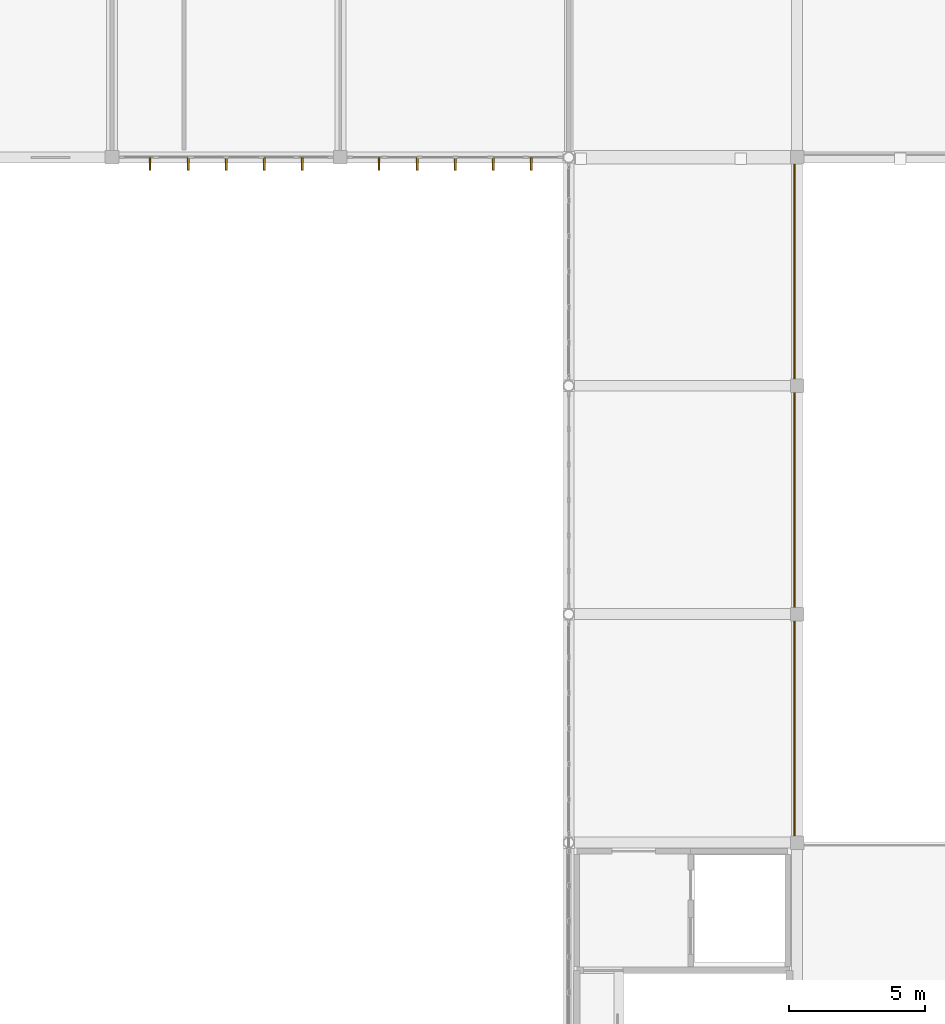
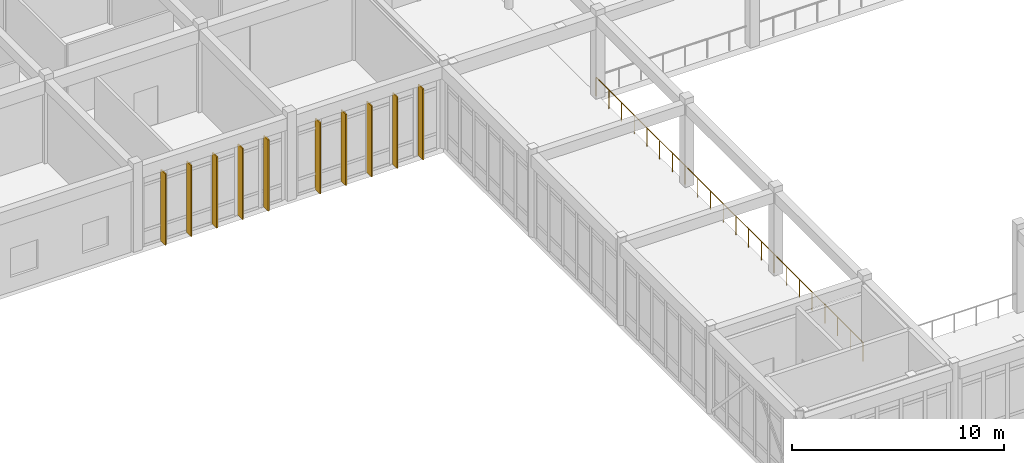
# One storey, part 117 of 134: 10 shading devices, 1 railing.
"""IFC4 building model written with IfcOpenShell, lengths in metres."""

import ifcopenshell
import ifcopenshell.guid

model = None  # the IFC model being written
_history = None  # IfcOwnerHistory: only IFC2X3 demands one
_inside = {}  # id of a spatial element -> (the spatial element, [elements in it])
_under = {}  # id of a project, library or spatial element -> (it, [spatial elements below it])
_declared = {}  # id of a project -> (the project, [libraries it declares])
_typed = {}  # id of a type object -> (the type object, [elements of that type])
_made_of = {}  # id of a material, layer set ... -> (it, [elements and type objects made of it])


def new_model(schema):
    """Start an empty IFC model of exactly this schema.

    Asked for "IFC4X3", IfcOpenShell would pick the latest addendum, in which some entities
    have other attributes; the version numbers below select the first issue.
    IFC2X3 requires an IfcOwnerHistory on every rooted entity: one is made here for all.
    """
    global model, _history
    if schema == "IFC4X3":
        model = ifcopenshell.file(schema_version=(4, 3, 0, 0))
    else:
        model = ifcopenshell.file(schema=schema)
    _inside.clear()
    _under.clear()
    _declared.clear()
    _typed.clear()
    _made_of.clear()
    _history = None
    if model.schema == "IFC2X3":
        org = make("IfcOrganization", Name="unknown")
        user = make(
            "IfcPersonAndOrganization",
            ThePerson=make("IfcPerson", FamilyName="unknown"),
            TheOrganization=org,
        )
        app = make(
            "IfcApplication",
            ApplicationDeveloper=org,
            Version="unknown",
            ApplicationFullName="unknown",
            ApplicationIdentifier="unknown",
        )
        _history = make(
            "IfcOwnerHistory",
            OwningUser=user,
            OwningApplication=app,
            ChangeAction="ADDED",
            CreationDate=0,
        )
    return model


def make(cls, **values):
    """One entity of the class cls with the attributes given. An attribute that is None is left unset."""
    return model.create_entity(
        cls, **{name: value for name, value in values.items() if value is not None}
    )


def rooted(cls, **values):
    """An entity with a GlobalId (a new one), such as an element, a storey or a relation."""
    return make(cls, GlobalId=ifcopenshell.guid.new(), OwnerHistory=_history, **values)


def si_unit(unit_type, name, prefix=None):
    """IfcSIUnit, for example si_unit("LENGTHUNIT", "METRE", prefix="MILLI")."""
    return make("IfcSIUnit", UnitType=unit_type, Prefix=prefix, Name=name)


def assignment(units):
    """IfcUnitAssignment: the units of a project."""
    return None if units is None else make("IfcUnitAssignment", Units=units)


def point(xyz):
    """IfcCartesianPoint."""
    return None if xyz is None else make("IfcCartesianPoint", Coordinates=xyz)


def direction(xyz):
    """IfcDirection."""
    return None if xyz is None else make("IfcDirection", DirectionRatios=xyz)


def frame(location, z_axis=None, x_axis=None):
    """IfcAxis2Placement3D, a coordinate frame: its origin and axes. An axis left out is left unset."""
    return make(
        "IfcAxis2Placement3D",
        Location=point(location),
        Axis=direction(z_axis),
        RefDirection=direction(x_axis),
    )


def frame_2d(location, x_axis=None):
    """IfcAxis2Placement2D, a coordinate frame in the plane: its origin and x axis."""
    return make(
        "IfcAxis2Placement2D", Location=point(location), RefDirection=direction(x_axis)
    )


def origin():
    """The frame at (0, 0, 0) with its axes left unset."""
    return frame((0.0, 0.0, 0.0))


def origin_2d():
    """The frame at (0, 0) in the plane with its x axis left unset."""
    return frame_2d((0.0, 0.0))


def place(relative_to, where):
    """IfcLocalPlacement: puts the frame where relative to a parent placement (None: the world)."""
    return make(
        "IfcLocalPlacement", PlacementRelTo=relative_to, RelativePlacement=where
    )


def context(
    kind, dimensions, precision=None, world=None, true_north=None, identifier=None
):
    """IfcGeometricRepresentationContext, for example the 3D "Model" context."""
    return make(
        "IfcGeometricRepresentationContext",
        ContextIdentifier=identifier,
        ContextType=kind,
        CoordinateSpaceDimension=dimensions,
        Precision=precision,
        WorldCoordinateSystem=world,
        TrueNorth=true_north,
    )


def subcontext(parent, identifier, kind, view, scale=None):
    """IfcGeometricRepresentationSubContext, for example "Body" below "Model"."""
    return make(
        "IfcGeometricRepresentationSubContext",
        ContextIdentifier=identifier,
        ContextType=kind,
        ParentContext=parent,
        TargetScale=scale,
        TargetView=view,
    )


def project(units=None, contexts=None):
    """IfcProject with its units and contexts."""
    return rooted(
        "IfcProject",
        Name="project",
        RepresentationContexts=contexts,
        UnitsInContext=assignment(units),
    )


def spatial(cls, under=None, at=None, **own):
    """A site, building, storey or space (cls), placed at a placement, below another one or the project."""
    s = rooted(cls, ObjectPlacement=at, **own)
    if under is not None:
        _under.setdefault(under.id(), (under, []))[1].append(s)
    return s


def profile(cls, at=None, kind="AREA", **sizes):
    """A parametric profile (cls). Its sizes go by their IFC names, for example OverallWidth=200.0."""
    return make(cls, ProfileType=kind, Position=at, **sizes)


def rectangle(**sizes):
    """IfcRectangleProfileDef."""
    return profile("IfcRectangleProfileDef", **sizes)


def circle(**sizes):
    """IfcCircleProfileDef."""
    return profile("IfcCircleProfileDef", **sizes)


def extrude(swept, where, along, depth):
    """IfcExtrudedAreaSolid: the profile swept, set in the frame where, extruded along a direction by depth."""
    return make(
        "IfcExtrudedAreaSolid",
        SweptArea=swept,
        Position=where,
        ExtrudedDirection=direction(along),
        Depth=depth,
    )


def shape(context_of_items, identifier, shape_type, items):
    """IfcShapeRepresentation: the items that make up one representation, for example the "Body"."""
    return make(
        "IfcShapeRepresentation",
        ContextOfItems=context_of_items,
        RepresentationIdentifier=identifier,
        RepresentationType=shape_type,
        Items=items,
    )


def material(Name=None, Category=None):
    """IfcMaterial."""
    return make("IfcMaterial", Name=Name, Category=Category)


def material_profile(
    of_material, cross_section, Name=None, Category=None, Priority=None
):
    """IfcMaterialProfile: a cross section and its material."""
    return make(
        "IfcMaterialProfile",
        Name=Name,
        Material=of_material,
        Profile=cross_section,
        Priority=Priority,
        Category=Category,
    )


def profile_set(profiles, Name=None, composite=None):
    """IfcMaterialProfileSet."""
    return make(
        "IfcMaterialProfileSet",
        Name=Name,
        MaterialProfiles=profiles,
        CompositeProfile=composite,
    )


def made_of(thing, what):
    """Note that an element or type object is made of a material, layer set ...; save() writes the relation."""
    if what is not None:
        _made_of.setdefault(what.id(), (what, []))[1].append(thing)
    return thing


def type_object(cls, material=None, **own):
    """A type object (cls), such as IfcWallType, which elements share."""
    return made_of(rooted(cls, **own), material)


def element(
    cls,
    number,
    at=None,
    inside=None,
    cuts=None,
    type_object=None,
    material=None,
    context=None,
    identifier="Body",
    shape_type=None,
    held_by="IfcProductDefinitionShape",
    body=None,
    shapes=None,
    **own,
):
    """One element of the class cls, such as IfcWall. Its Tag is "e" and its number.

    at: its placement. inside: the storey or other place that contains it. cuts: it is an
    opening in that element (IfcRelVoidsElement). A single representation is given by context,
    identifier, shape_type and body (its items); several are given by shapes. held_by: the class
    of the entity that holds the representations. save() writes the other relations.
    """
    e = rooted(cls, Tag="e%d" % number, ObjectPlacement=at, **own)
    if body is not None:
        shapes = [shape(context, identifier, shape_type, body)]
    if shapes is not None:
        e.Representation = make(held_by, Representations=shapes)
    if inside is not None:
        _inside.setdefault(inside.id(), (inside, []))[1].append(e)
    if cuts is not None:
        rooted(
            "IfcRelVoidsElement", RelatingBuildingElement=cuts, RelatedOpeningElement=e
        )
    if type_object is not None:
        _typed.setdefault(type_object.id(), (type_object, []))[1].append(e)
    return made_of(e, material)


def aggregate(whole, parts):
    """IfcRelAggregates: a whole, such as a stair, and the parts it consists of."""
    return rooted("IfcRelAggregates", RelatingObject=whole, RelatedObjects=parts)


def save(model, path):
    """Write the relations noted so far, then the file.

    IfcRelAggregates (storeys below a building ...), IfcRelContainedInSpatialStructure (elements
    in a storey), IfcRelDefinesByType, IfcRelAssociatesMaterial and IfcRelDeclares: one each for
    every whole, place, type object, material and project.
    """
    for whole, parts in _under.values():
        aggregate(whole, parts)
    for where, things in _inside.values():
        rooted(
            "IfcRelContainedInSpatialStructure",
            RelatedElements=things,
            RelatingStructure=where,
        )
    for kind, things in _typed.values():
        rooted("IfcRelDefinesByType", RelatedObjects=things, RelatingType=kind)
    for what, things in _made_of.values():
        rooted("IfcRelAssociatesMaterial", RelatedObjects=things, RelatingMaterial=what)
    for by, libraries in _declared.values():
        rooted("IfcRelDeclares", RelatingContext=by, RelatedDefinitions=libraries)
    model.write(path)


model = new_model("IFC4")

# Units and contexts
model_context = context("Model", 3, precision=1e-05, world=origin(), true_north=direction((0.0, 1.0)))
body_context = subcontext(model_context, "Body", "Model", "MODEL_VIEW")
ifc_project = project(units=[si_unit("LENGTHUNIT", "METRE"), si_unit("AREAUNIT", "SQUARE_METRE"), si_unit("VOLUMEUNIT", "CUBIC_METRE"), si_unit("PLANEANGLEUNIT", "RADIAN"), si_unit("MASSUNIT", "GRAM", prefix="KILO")], contexts=[model_context])

# Site, building, storey
site_placement = place(None, origin())
site = spatial("IfcSite", under=ifc_project, at=site_placement, CompositionType="ELEMENT")
building_placement = place(site_placement, origin())
building = spatial("IfcBuilding", under=site, at=building_placement, Name="Bramfleet General Hospital", CompositionType="ELEMENT")
storey_placement = place(building_placement, frame((0.0, 0.0, 9.300048828125)))
storey = spatial("IfcBuildingStorey", under=building, at=storey_placement, Name="L02", CompositionType="ELEMENT", Elevation=9.300048828125)

# Railing
ifc_material_1 = material(Name="Stainless steel 1.4401 safety balustrade", Category="steel")
railing_type = type_object("IfcRailingType", Name="RAIL-EXT-GUARD", PredefinedType="GUARDRAIL", material=ifc_material_1)
railing_placement = place(storey_placement, frame((58.699951171875, 50.389892578125, 0.0)))
element("IfcRailing", 1, at=railing_placement, inside=storey, type_object=railing_type, Name="L02 Safety Guard Rail 116", PredefinedType="GUARDRAIL", context=body_context, shape_type="SweptSolid", body=[
    extrude(circle(Radius=0.02392578125, at=origin_2d()), frame((0.0, 0.0, 1.076171875), z_axis=(0.0, -1.0, 0.0), x_axis=(1.0, 0.0, 0.0)), (0.0, 0.0, 1.0), 25.179931640625),
    extrude(circle(Radius=0.02099609375, at=origin_2d()), origin(), (0.0, 0.0, 1.0), 1.052001953125),
    extrude(circle(Radius=0.02099609375, at=origin_2d()), frame((0.0, -1.198974609375, 0.0)), (0.0, 0.0, 1.0), 1.052001953125),
    extrude(circle(Radius=0.02099609375, at=origin_2d()), frame((0.0, -2.398193359375, 0.0)), (0.0, 0.0, 1.0), 1.052001953125),
    extrude(circle(Radius=0.02099609375, at=origin_2d()), frame((0.0, -3.59716796875, 0.0)), (0.0, 0.0, 1.0), 1.052001953125),
    extrude(circle(Radius=0.02099609375, at=origin_2d()), frame((0.0, -4.796142578125, 0.0)), (0.0, 0.0, 1.0), 1.052001953125),
    extrude(circle(Radius=0.02099609375, at=origin_2d()), frame((0.0, -5.9951171875, 0.0)), (0.0, 0.0, 1.0), 1.052001953125),
    extrude(circle(Radius=0.02099609375, at=origin_2d()), frame((0.0, -7.1943359375, 0.0)), (0.0, 0.0, 1.0), 1.052001953125),
    extrude(circle(Radius=0.02099609375, at=origin_2d()), frame((0.0, -8.393310546875, 0.0)), (0.0, 0.0, 1.0), 1.052001953125),
    extrude(circle(Radius=0.02099609375, at=origin_2d()), frame((0.0, -9.59228515625, 0.0)), (0.0, 0.0, 1.0), 1.052001953125),
    extrude(circle(Radius=0.02099609375, at=origin_2d()), frame((0.0, -10.79150390625, 0.0)), (0.0, 0.0, 1.0), 1.052001953125),
    extrude(circle(Radius=0.02099609375, at=origin_2d()), frame((0.0, -11.990478515625, 0.0)), (0.0, 0.0, 1.0), 1.052001953125),
    extrude(circle(Radius=0.02099609375, at=origin_2d()), frame((0.0, -13.189453125, 0.0)), (0.0, 0.0, 1.0), 1.052001953125),
    extrude(circle(Radius=0.02099609375, at=origin_2d()), frame((0.0, -14.388427734375, 0.0)), (0.0, 0.0, 1.0), 1.052001953125),
    extrude(circle(Radius=0.02099609375, at=origin_2d()), frame((0.0, -15.587646484375, 0.0)), (0.0, 0.0, 1.0), 1.052001953125),
    extrude(circle(Radius=0.02099609375, at=origin_2d()), frame((0.0, -16.78662109375, 0.0)), (0.0, 0.0, 1.0), 1.052001953125),
    extrude(circle(Radius=0.02099609375, at=origin_2d()), frame((0.0, -17.985595703125, 0.0)), (0.0, 0.0, 1.0), 1.052001953125),
    extrude(circle(Radius=0.02099609375, at=origin_2d()), frame((0.0, -19.184814453125, 0.0)), (0.0, 0.0, 1.0), 1.052001953125),
    extrude(circle(Radius=0.02099609375, at=origin_2d()), frame((0.0, -20.3837890625, 0.0)), (0.0, 0.0, 1.0), 1.052001953125),
    extrude(circle(Radius=0.02099609375, at=origin_2d()), frame((0.0, -21.582763671875, 0.0)), (0.0, 0.0, 1.0), 1.052001953125),
    extrude(circle(Radius=0.02099609375, at=origin_2d()), frame((0.0, -22.78173828125, 0.0)), (0.0, 0.0, 1.0), 1.052001953125),
    extrude(circle(Radius=0.02099609375, at=origin_2d()), frame((0.0, -23.98095703125, 0.0)), (0.0, 0.0, 1.0), 1.052001953125),
    extrude(circle(Radius=0.02099609375, at=origin_2d()), frame((0.0, -25.179931640625, 0.0)), (0.0, 0.0, 1.0), 1.052001953125),
])

# Shading devices
ifc_material_2 = material(Name="Treated European larch timber", Category="wood")
ifc_material_profile = material_profile(ifc_material_2, rectangle(XDim=0.06494140625, YDim=0.449951171875, at=origin_2d()), Name="LARCH FIN 450x65")
ifc_profile_set = profile_set([ifc_material_profile], Name="Treated European larch timber")
shading_device_type = type_object("IfcShadingDeviceType", Name="SHD-FIN-450", PredefinedType="USERDEFINED", material=ifc_profile_set)
for number, where, z_axis, x_axis, name in (
    (2, (49.0234375, 50.159912109375, -0.02001953125), (0.0, 0.0, 1.0), (-1.0, 0.0, 0.0), "L02 Larch Timber Shading Fin 499"),
    (3, (47.62353515625, 50.159912109375, -0.02001953125), (0.0, 0.0, 1.0), (-1.0, 0.0, 0.0), "L02 Larch Timber Shading Fin 500"),
    (4, (46.223388671875, 50.159912109375, -0.02001953125), (0.0, 0.0, 1.0), (-1.0, 0.0, 0.0), "L02 Larch Timber Shading Fin 501"),
    (5, (44.823486328125, 50.159912109375, -0.02001953125), (0.0, 0.0, 1.0), (-1.0, 0.0, 0.0), "L02 Larch Timber Shading Fin 502"),
    (6, (43.423583984375, 50.159912109375, -0.02001953125), (0.0, 0.0, 1.0), (-1.0, 0.0, 0.0), "L02 Larch Timber Shading Fin 503"),
    (7, (40.60009765625, 50.159912109375, -0.02001953125), (0.0, 0.0, 1.0), (-1.0, 0.0, 0.0), "L02 Larch Timber Shading Fin 504"),
    (8, (39.199951171875, 50.159912109375, -0.02001953125), (0.0, 0.0, 1.0), (-1.0, 0.0, 0.0), "L02 Larch Timber Shading Fin 505"),
    (9, (37.800048828125, 50.159912109375, -0.02001953125), (0.0, 0.0, 1.0), (-1.0, 0.0, 0.0), "L02 Larch Timber Shading Fin 506"),
    (10, (36.39990234375, 50.159912109375, -0.02001953125), (0.0, 0.0, 1.0), (-1.0, 0.0, 0.0), "L02 Larch Timber Shading Fin 507"),
    (11, (35.0, 50.159912109375, -0.02001953125), (0.0, 0.0, 1.0), (-1.0, 0.0, 0.0), "L02 Larch Timber Shading Fin 508"),
):
    element("IfcShadingDevice", number, at=place(storey_placement, frame(where, z_axis=z_axis, x_axis=x_axis)), inside=storey, type_object=shading_device_type, Name=name, ObjectType="Fin", PredefinedType="USERDEFINED", context=body_context, shape_type="SweptSolid", body=[
        extrude(rectangle(XDim=0.06494140625, YDim=0.449951171875, at=origin_2d()), origin(), (0.0, 0.0, 1.0), 4.099853515625),
    ])

save(model, "model.ifc")
